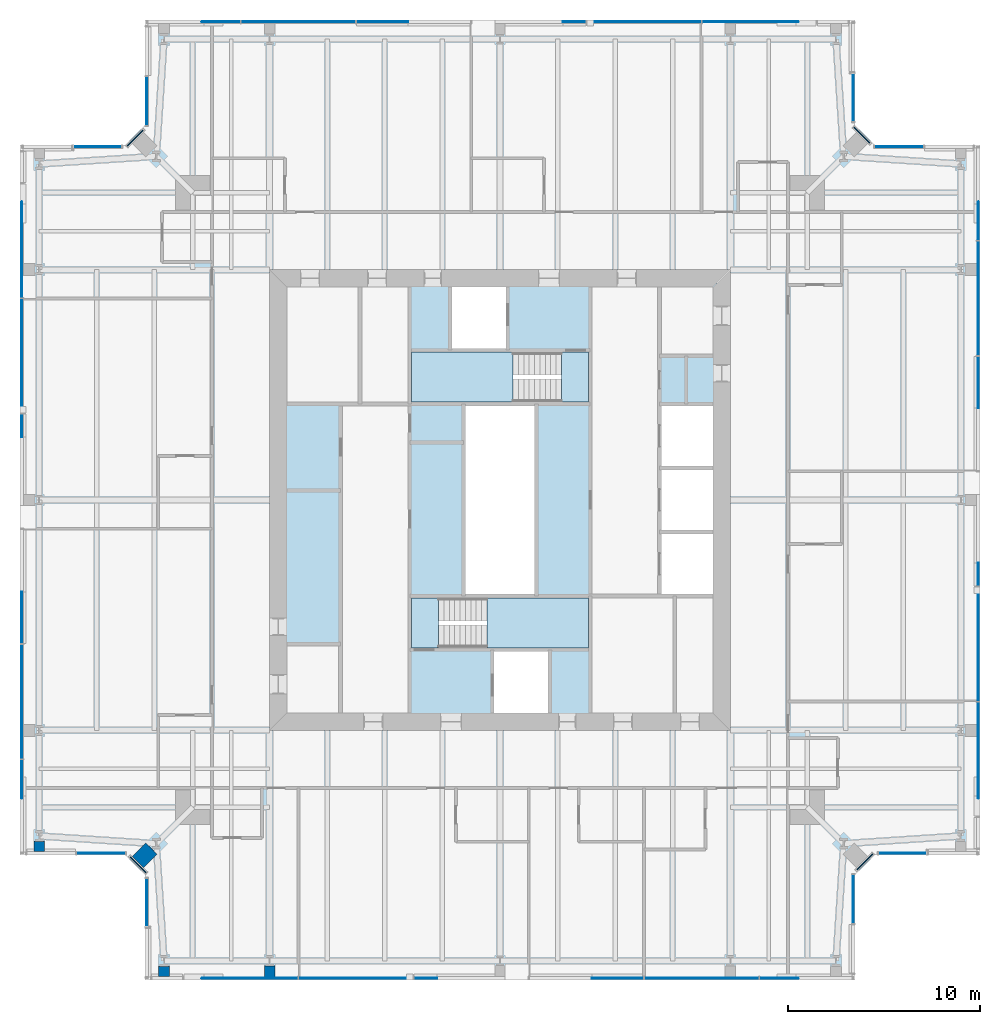
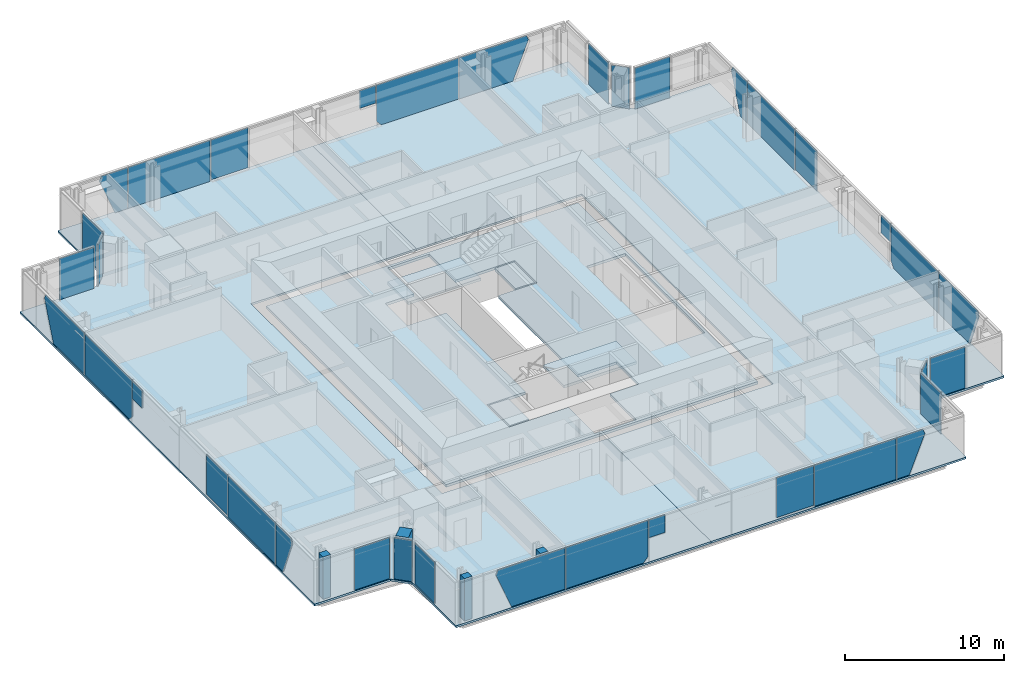
# One storey, part 10 of 20: 36 plates, 7 slabs, 4 walls, 18 elements without a shape of their own.
"""IFC4 building model written with IfcOpenShell, lengths in metres."""

from ifc_helpers import new_model, si_unit, direction, frame, frame_2d, origin, origin_2d, place, context, subcontext, project, spatial, polyline, rectangle, outline, extrude, material, layer, layer_set, type_object, element, aggregate, save


model = new_model("IFC4")

# Units and contexts
model_context = context("Model", 3, precision=1e-05, world=origin(), true_north=direction((0.0, 1.0)))
body_context = subcontext(model_context, "Body", "Model", "MODEL_VIEW")
ifc_project = project(units=[si_unit("LENGTHUNIT", "METRE"), si_unit("AREAUNIT", "SQUARE_METRE"), si_unit("VOLUMEUNIT", "CUBIC_METRE"), si_unit("PLANEANGLEUNIT", "RADIAN"), si_unit("MASSUNIT", "GRAM", prefix="KILO")], contexts=[model_context])

# Site, building, storey
site_placement = place(None, origin())
site = spatial("IfcSite", under=ifc_project, at=site_placement, CompositionType="ELEMENT")
building_placement = place(site_placement, origin())
building = spatial("IfcBuilding", under=site, at=building_placement, Name="Fenwick Lantern Interchange", CompositionType="ELEMENT")
storey_placement = place(building_placement, frame((0.0, 0.0, 279.800048828125)))
storey = spatial("IfcBuildingStorey", under=building, at=storey_placement, Name="L67", CompositionType="ELEMENT", Elevation=279.800048828125)

# Slabs
ifc_material_1 = material(Name="Concrete f'c 35 MPa", Category="concrete")
ifc_layer_1 = layer(ifc_material_1, 0.199951171875)
ifc_layer_set_1 = layer_set([ifc_layer_1], Name="CORE FLOOR SLAB 200")
slab_type_1 = type_object("IfcSlabType", Name="CORE FLOOR SLAB 200", PredefinedType="FLOOR", material=ifc_layer_set_1)
slab_1_placement = place(storey_placement, frame((0.0, 0.0, -0.199951171875)))
element("IfcSlab", 1, at=slab_1_placement, inside=storey, type_object=slab_type_1, Name="L67/SLAB/CORE", PredefinedType="FLOOR", context=body_context, shape_type="SweptSolid", body=[
    extrude(outline(polyline([(13.699951171875, 36.300048828125), (36.300048828125, 36.300048828125), (36.300048828125, 13.699951171875), (13.699951171875, 13.699951171875), (13.699951171875, 36.300048828125)]), holes=[polyline([(24.60009765625, 13.89990234375), (27.60009765625, 13.89990234375), (27.60009765625, 17.199951171875), (29.699951171875, 17.199951171875), (29.699951171875, 20.0), (26.89990234375, 20.0), (26.89990234375, 30.0), (29.699951171875, 30.0), (29.699951171875, 32.800048828125), (25.39990234375, 32.800048828125), (25.39990234375, 36.10009765625), (22.39990234375, 36.10009765625), (22.39990234375, 32.800048828125), (20.300048828125, 32.800048828125), (20.300048828125, 30.0), (23.10009765625, 30.0), (23.10009765625, 20.0), (20.300048828125, 20.0), (20.300048828125, 17.199951171875), (24.60009765625, 17.199951171875), (24.60009765625, 13.89990234375)]), polyline([(33.300048828125, 20.0), (36.10009765625, 20.0), (36.10009765625, 23.333251953125), (36.10009765625, 26.666748046875), (36.10009765625, 30.0), (33.300048828125, 30.0), (33.300048828125, 26.666748046875), (33.300048828125, 23.333251953125), (33.300048828125, 20.0)])]), origin(), (0.0, 0.0, 1.0), 0.199951171875),
])
ifc_material_2 = material(Name="Concrete f'c 35 MPa", Category="concrete")
ifc_layer_2 = layer(ifc_material_2, 0.14990234375)
ifc_layer_set_2 = layer_set([ifc_layer_2], Name="Concrete f'c 35 MPa")
slab_type_2 = type_object("IfcSlabType", Name="FLOOR SLAB 150", PredefinedType="FLOOR", material=ifc_layer_set_2)
slab_2_placement = place(storey_placement, frame((0.0, 0.0, -0.150146484375)))
element("IfcSlab", 2, at=slab_2_placement, inside=storey, type_object=slab_type_2, Name="L67/SLAB/FW", PredefinedType="FLOOR", context=body_context, shape_type="SweptSolid", body=[
    extrude(outline(polyline([(6.5, 0.0), (6.5, 5.5), (5.5, 6.5), (0.0, 6.5), (0.0, 43.5), (5.5, 43.5), (6.5, 44.5), (6.5, 50.0), (25.0, 50.0), (25.0, 37.0), (13.0, 37.0), (13.0, 13.0), (25.0, 13.0), (25.0, 0.0), (6.5, 0.0)])), origin(), (0.0, 0.0, 1.0), 0.150146484375),
])
slab_3_placement = place(storey_placement, frame((0.0, 0.0, -0.150146484375)))
element("IfcSlab", 3, at=slab_3_placement, inside=storey, type_object=slab_type_2, Name="L67/SLAB/FE", PredefinedType="FLOOR", context=body_context, shape_type="SweptSolid", body=[
    extrude(outline(polyline([(43.5, 50.0), (43.5, 44.5), (44.5, 43.5), (50.0, 43.5), (50.0, 6.5), (44.5, 6.5), (43.5, 5.5), (43.5, 0.0), (25.0, 0.0), (25.0, 13.0), (37.0, 13.0), (37.0, 37.0), (25.0, 37.0), (25.0, 50.0), (43.5, 50.0)])), origin(), (0.0, 0.0, 1.0), 0.150146484375),
])

# Curtain wall, plates
ifc_material_3 = material(Name="Aluminium curtain wall frame", Category="aluminium")
curtain_wall_type = type_object("IfcCurtainWallType", Name="HOTEL CURTAIN WALL", PredefinedType="USERDEFINED", material=ifc_material_3)
curtain_wall_1_placement = place(storey_placement, origin())
curtain_wall_1 = element("IfcCurtainWall", 4, at=curtain_wall_1_placement, inside=storey, type_object=curtain_wall_type, Name="Hotel curtain wall 01", ObjectType="HOTEL CURTAIN WALL", PredefinedType="USERDEFINED")
ifc_material_4 = material(Name="Vision glass, acoustic laminated double glazed unit", Category="glass")
ifc_layer_3 = layer(ifc_material_4, 0.052001953125)
ifc_layer_set_3 = layer_set([ifc_layer_3], Name="HOTEL CURTAIN WALL PANEL 52")
plate_type = type_object("IfcPlateType", Name="HOTEL CURTAIN WALL PANEL 52", PredefinedType="CURTAIN_PANEL", material=ifc_layer_set_3)
plate_1_placement = place(storey_placement, frame((6.60009765625, 0.10009765625, 0.0), z_axis=(0.0, 0.0, 1.0), x_axis=(1.0, 0.0, 0.0)))
plate_1 = element("IfcPlate", 5, at=plate_1_placement, type_object=plate_type, Name="L67/CW/01/P01a", PredefinedType="CURTAIN_PANEL", context=body_context, shape_type="SweptSolid", body=[
    extrude(outline(polyline([(3.971435546875, 0.0), (7.8701171875, 0.0), (7.8701171875, 3.14990234375), (2.9892578125, 3.14990234375), (2.8427734375, 2.791015625), (3.971435546875, 0.0)])), frame((0.0, 0.02587890625, 0.0), z_axis=(0.0, -1.0, 0.0), x_axis=(1.0, 0.0, 0.0)), (0.0, 0.0, 1.0), 0.052001953125),
])
plate_2_placement = place(storey_placement, frame((6.60009765625, 0.10009765625, 0.0), z_axis=(0.0, 0.0, 1.0), x_axis=(1.0, 0.0, 0.0)))
plate_2 = element("IfcPlate", 6, at=plate_2_placement, type_object=plate_type, Name="L67/CW/01/P02a", PredefinedType="CURTAIN_PANEL", context=body_context, shape_type="SweptSolid", body=[
    extrude(outline(polyline([(7.929931640625, 0.0), (13.5341796875, 0.0), (13.8701171875, 0.380615234375), (13.8701171875, 3.14990234375), (7.929931640625, 3.14990234375), (7.929931640625, 0.0)])), frame((0.0, 0.02587890625, 0.0), z_axis=(0.0, -1.0, 0.0), x_axis=(1.0, 0.0, 0.0)), (0.0, 0.0, 1.0), 0.052001953125),
])
plate_3_placement = place(storey_placement, frame((6.60009765625, 0.10009765625, 1.797119140625), z_axis=(0.0, 0.0, 1.0), x_axis=(1.0, 0.0, 0.0)))
plate_3 = element("IfcPlate", 7, at=plate_3_placement, type_object=plate_type, Name="L67/CW/01/P03a", PredefinedType="CURTAIN_PANEL", context=body_context, shape_type="SweptSolid", body=[
    extrude(outline(polyline([(13.929931640625, 0.0), (15.1201171875, 0.0), (15.1201171875, 1.352783203125), (13.929931640625, 1.352783203125), (13.929931640625, 0.0)])), frame((0.0, 0.02587890625, 0.0), z_axis=(0.0, -1.0, 0.0), x_axis=(1.0, 0.0, 0.0)), (0.0, 0.0, 1.0), 0.052001953125),
])
plate_4_placement = place(storey_placement, frame((6.60009765625, 0.10009765625, 0.09765625), z_axis=(0.0, 0.0, 1.0), x_axis=(1.0, 0.0, 0.0)))
plate_4 = element("IfcPlate", 8, at=plate_4_placement, type_object=plate_type, Name="L67/CW/01/P04a", PredefinedType="CURTAIN_PANEL", context=body_context, shape_type="SweptSolid", body=[
    extrude(outline(polyline([(23.179443359375, 0.0), (25.8701171875, 0.0), (25.8701171875, 3.05224609375), (23.179443359375, 3.05224609375), (23.179443359375, 0.0)])), frame((0.0, 0.02587890625, 0.0), z_axis=(0.0, -1.0, 0.0), x_axis=(1.0, 0.0, 0.0)), (0.0, 0.0, 1.0), 0.052001953125),
])
plate_5_placement = place(storey_placement, frame((35.5, 0.10009765625, 0.0), z_axis=(0.0, 0.0, 1.0), x_axis=(1.0, 0.0, 0.0)))
plate_5 = element("IfcPlate", 9, at=plate_5_placement, type_object=plate_type, Name="L67/CW/01/P05", PredefinedType="CURTAIN_PANEL", context=body_context, shape_type="SweptSolid", body=[
    extrude(rectangle(XDim=5.93994140625, YDim=0.052001953125, at=origin_2d()), origin(), (0.0, 0.0, 1.0), 3.14990234375),
])
plate_6_placement = place(storey_placement, frame((6.60009765625, 0.10009765625, 0.0), z_axis=(0.0, 0.0, 1.0), x_axis=(1.0, 0.0, 0.0)))
plate_6 = element("IfcPlate", 10, at=plate_6_placement, type_object=plate_type, Name="L67/CW/01/P06a", PredefinedType="CURTAIN_PANEL", context=body_context, shape_type="SweptSolid", body=[
    extrude(outline(polyline([(31.929931640625, 0.0), (32.828369140625, 0.0), (33.957275390625, 2.791015625), (33.810791015625, 3.14990234375), (31.929931640625, 3.14990234375), (31.929931640625, 0.0)])), frame((0.0, 0.02587890625, 0.0), z_axis=(0.0, -1.0, 0.0), x_axis=(1.0, 0.0, 0.0)), (0.0, 0.0, 1.0), 0.052001953125),
])
aggregate(curtain_wall_1, [plate_1, plate_2, plate_3, plate_4, plate_5, plate_6])

# Curtain wall, plate
curtain_wall_2_placement = place(storey_placement, origin())
curtain_wall_2 = element("IfcCurtainWall", 11, at=curtain_wall_2_placement, inside=storey, type_object=curtain_wall_type, Name="Hotel curtain wall 02", ObjectType="HOTEL CURTAIN WALL", PredefinedType="USERDEFINED")
plate_7_placement = place(storey_placement, frame((43.39990234375, 4.216064453125, 0.0), z_axis=(0.0, 0.0, 1.0), x_axis=(0.0, 1.0, 0.0)))
plate_7 = element("IfcPlate", 12, at=plate_7_placement, type_object=plate_type, Name="L67/CW/02/P01", PredefinedType="CURTAIN_PANEL", context=body_context, shape_type="SweptSolid", body=[
    extrude(rectangle(XDim=2.53076171875, YDim=0.052001953125, at=origin_2d()), origin(), (0.0, 0.0, 1.0), 3.14990234375),
])
aggregate(curtain_wall_2, [plate_7])

curtain_wall_3_placement = place(storey_placement, origin())
curtain_wall_3 = element("IfcCurtainWall", 13, at=curtain_wall_3_placement, inside=storey, type_object=curtain_wall_type, Name="Hotel curtain wall 03", ObjectType="HOTEL CURTAIN WALL", PredefinedType="USERDEFINED")
plate_8_placement = place(storey_placement, frame((44.0, 6.141357421875, 0.0), z_axis=(0.0, 0.0, 1.0), x_axis=(0.707106781187, 0.707106781187, 0.0)))
plate_8 = element("IfcPlate", 14, at=plate_8_placement, type_object=plate_type, Name="L67/CW/03/P00", PredefinedType="CURTAIN_PANEL", context=body_context, shape_type="SweptSolid", body=[
    extrude(rectangle(XDim=1.177001953125, YDim=0.052001953125, at=origin_2d()), origin(), (0.0, 0.0, 1.0), 3.14990234375),
])
aggregate(curtain_wall_3, [plate_8])

curtain_wall_4_placement = place(storey_placement, origin())
curtain_wall_4 = element("IfcCurtainWall", 15, at=curtain_wall_4_placement, inside=storey, type_object=curtain_wall_type, Name="Hotel curtain wall 04", ObjectType="HOTEL CURTAIN WALL", PredefinedType="USERDEFINED")
plate_9_placement = place(storey_placement, frame((44.45849609375, 6.60009765625, 0.0), z_axis=(0.0, 0.0, 1.0), x_axis=(1.0, 0.0, 0.0)))
plate_9 = element("IfcPlate", 16, at=plate_9_placement, type_object=plate_type, Name="L67/CW/04/P00a", PredefinedType="CURTAIN_PANEL", context=body_context, shape_type="SweptSolid", body=[
    extrude(outline(polyline([(0.260009765625, 0.0), (2.741455078125, 0.0), (2.741455078125, 3.14990234375), (0.260009765625, 3.14990234375), (0.260009765625, 0.0)])), frame((0.0, 0.02587890625, 0.0), z_axis=(0.0, -1.0, 0.0), x_axis=(1.0, 0.0, 0.0)), (0.0, 0.0, 1.0), 0.052001953125),
])
aggregate(curtain_wall_4, [plate_9])

# Curtain wall, plates
curtain_wall_5_placement = place(storey_placement, origin())
curtain_wall_5 = element("IfcCurtainWall", 17, at=curtain_wall_5_placement, inside=storey, type_object=curtain_wall_type, Name="Hotel curtain wall 05", ObjectType="HOTEL CURTAIN WALL", PredefinedType="USERDEFINED")
plate_10_placement = place(storey_placement, frame((49.89990234375, 6.60009765625, 0.0), z_axis=(0.0, 0.0, 1.0), x_axis=(0.0, 1.0, 0.0)))
plate_10 = element("IfcPlate", 18, at=plate_10_placement, type_object=plate_type, Name="L67/CW/05/P01a", PredefinedType="CURTAIN_PANEL", context=body_context, shape_type="SweptSolid", body=[
    extrude(outline(polyline([(3.971435546875, 0.0), (7.8701171875, 0.0), (7.8701171875, 3.14990234375), (2.9892578125, 3.14990234375), (2.8427734375, 2.791015625), (3.971435546875, 0.0)])), frame((0.0, 0.02587890625, 0.0), z_axis=(0.0, -1.0, 0.0), x_axis=(1.0, 0.0, 0.0)), (0.0, 0.0, 1.0), 0.052001953125),
])
plate_11_placement = place(storey_placement, frame((49.89990234375, 6.60009765625, 0.0), z_axis=(0.0, 0.0, 1.0), x_axis=(0.0, 1.0, 0.0)))
plate_11 = element("IfcPlate", 19, at=plate_11_placement, type_object=plate_type, Name="L67/CW/05/P02a", PredefinedType="CURTAIN_PANEL", context=body_context, shape_type="SweptSolid", body=[
    extrude(outline(polyline([(7.929931640625, 0.0), (13.5341796875, 0.0), (13.8701171875, 0.380615234375), (13.8701171875, 3.14990234375), (7.929931640625, 3.14990234375), (7.929931640625, 0.0)])), frame((0.0, 0.02587890625, 0.0), z_axis=(0.0, -1.0, 0.0), x_axis=(1.0, 0.0, 0.0)), (0.0, 0.0, 1.0), 0.052001953125),
])
plate_12_placement = place(storey_placement, frame((49.89990234375, 6.60009765625, 1.797119140625), z_axis=(0.0, 0.0, 1.0), x_axis=(0.0, 1.0, 0.0)))
plate_12 = element("IfcPlate", 20, at=plate_12_placement, type_object=plate_type, Name="L67/CW/05/P03a", PredefinedType="CURTAIN_PANEL", context=body_context, shape_type="SweptSolid", body=[
    extrude(outline(polyline([(13.929931640625, 0.0), (15.1201171875, 0.0), (15.1201171875, 1.352783203125), (13.929931640625, 1.352783203125), (13.929931640625, 0.0)])), frame((0.0, 0.02587890625, 0.0), z_axis=(0.0, -1.0, 0.0), x_axis=(1.0, 0.0, 0.0)), (0.0, 0.0, 1.0), 0.052001953125),
])
plate_13_placement = place(storey_placement, frame((49.89990234375, 6.60009765625, 0.09765625), z_axis=(0.0, 0.0, 1.0), x_axis=(0.0, 1.0, 0.0)))
plate_13 = element("IfcPlate", 21, at=plate_13_placement, type_object=plate_type, Name="L67/CW/05/P04a", PredefinedType="CURTAIN_PANEL", context=body_context, shape_type="SweptSolid", body=[
    extrude(outline(polyline([(23.179443359375, 0.0), (25.8701171875, 0.0), (25.8701171875, 3.05224609375), (23.179443359375, 3.05224609375), (23.179443359375, 0.0)])), frame((0.0, 0.02587890625, 0.0), z_axis=(0.0, -1.0, 0.0), x_axis=(1.0, 0.0, 0.0)), (0.0, 0.0, 1.0), 0.052001953125),
])
plate_14_placement = place(storey_placement, frame((49.89990234375, 35.5, 0.0), z_axis=(0.0, 0.0, 1.0), x_axis=(0.0, 1.0, 0.0)))
plate_14 = element("IfcPlate", 22, at=plate_14_placement, type_object=plate_type, Name="L67/CW/05/P05", PredefinedType="CURTAIN_PANEL", context=body_context, shape_type="SweptSolid", body=[
    extrude(rectangle(XDim=5.93994140625, YDim=0.052001953125, at=origin_2d()), origin(), (0.0, 0.0, 1.0), 3.14990234375),
])
plate_15_placement = place(storey_placement, frame((49.89990234375, 6.60009765625, 0.0), z_axis=(0.0, 0.0, 1.0), x_axis=(0.0, 1.0, 0.0)))
plate_15 = element("IfcPlate", 23, at=plate_15_placement, type_object=plate_type, Name="L67/CW/05/P06a", PredefinedType="CURTAIN_PANEL", context=body_context, shape_type="SweptSolid", body=[
    extrude(outline(polyline([(31.929931640625, 0.0), (32.828369140625, 0.0), (33.957275390625, 2.791015625), (33.810791015625, 3.14990234375), (31.929931640625, 3.14990234375), (31.929931640625, 0.0)])), frame((0.0, 0.02587890625, 0.0), z_axis=(0.0, -1.0, 0.0), x_axis=(1.0, 0.0, 0.0)), (0.0, 0.0, 1.0), 0.052001953125),
])
aggregate(curtain_wall_5, [plate_10, plate_11, plate_12, plate_13, plate_14, plate_15])

# Curtain wall, plate
curtain_wall_6_placement = place(storey_placement, origin())
curtain_wall_6 = element("IfcCurtainWall", 24, at=curtain_wall_6_placement, inside=storey, type_object=curtain_wall_type, Name="Hotel curtain wall 06", ObjectType="HOTEL CURTAIN WALL", PredefinedType="USERDEFINED")
plate_16_placement = place(storey_placement, frame((45.783935546875, 43.39990234375, 0.0), z_axis=(0.0, 0.0, 1.0), x_axis=(-1.0, 0.0, 0.0)))
plate_16 = element("IfcPlate", 25, at=plate_16_placement, type_object=plate_type, Name="L67/CW/06/P01", PredefinedType="CURTAIN_PANEL", context=body_context, shape_type="SweptSolid", body=[
    extrude(rectangle(XDim=2.53076171875, YDim=0.052001953125, at=origin_2d()), origin(), (0.0, 0.0, 1.0), 3.14990234375),
])
aggregate(curtain_wall_6, [plate_16])

curtain_wall_7_placement = place(storey_placement, origin())
curtain_wall_7 = element("IfcCurtainWall", 26, at=curtain_wall_7_placement, inside=storey, type_object=curtain_wall_type, Name="Hotel curtain wall 07", ObjectType="HOTEL CURTAIN WALL", PredefinedType="USERDEFINED")
plate_17_placement = place(storey_placement, frame((43.858642578125, 44.0, 0.0), z_axis=(0.0, 0.0, 1.0), x_axis=(-0.707106781187, 0.707106781187, 0.0)))
plate_17 = element("IfcPlate", 27, at=plate_17_placement, type_object=plate_type, Name="L67/CW/07/P00", PredefinedType="CURTAIN_PANEL", context=body_context, shape_type="SweptSolid", body=[
    extrude(rectangle(XDim=1.177001953125, YDim=0.052001953125, at=origin_2d()), origin(), (0.0, 0.0, 1.0), 3.14990234375),
])
aggregate(curtain_wall_7, [plate_17])

curtain_wall_8_placement = place(storey_placement, origin())
curtain_wall_8 = element("IfcCurtainWall", 28, at=curtain_wall_8_placement, inside=storey, type_object=curtain_wall_type, Name="Hotel curtain wall 08", ObjectType="HOTEL CURTAIN WALL", PredefinedType="USERDEFINED")
plate_18_placement = place(storey_placement, frame((43.39990234375, 44.45849609375, 0.0), z_axis=(0.0, 0.0, 1.0), x_axis=(0.0, 1.0, 0.0)))
plate_18 = element("IfcPlate", 29, at=plate_18_placement, type_object=plate_type, Name="L67/CW/08/P00a", PredefinedType="CURTAIN_PANEL", context=body_context, shape_type="SweptSolid", body=[
    extrude(outline(polyline([(0.260009765625, 0.0), (2.741455078125, 0.0), (2.741455078125, 3.14990234375), (0.260009765625, 3.14990234375), (0.260009765625, 0.0)])), frame((0.0, 0.02587890625, 0.0), z_axis=(0.0, -1.0, 0.0), x_axis=(1.0, 0.0, 0.0)), (0.0, 0.0, 1.0), 0.052001953125),
])
aggregate(curtain_wall_8, [plate_18])

# Curtain wall, plates
curtain_wall_9_placement = place(storey_placement, origin())
curtain_wall_9 = element("IfcCurtainWall", 30, at=curtain_wall_9_placement, inside=storey, type_object=curtain_wall_type, Name="Hotel curtain wall 09", ObjectType="HOTEL CURTAIN WALL", PredefinedType="USERDEFINED")
plate_19_placement = place(storey_placement, frame((43.39990234375, 49.89990234375, 0.0), z_axis=(0.0, 0.0, 1.0), x_axis=(-1.0, 0.0, 0.0)))
plate_19 = element("IfcPlate", 31, at=plate_19_placement, type_object=plate_type, Name="L67/CW/09/P01a", PredefinedType="CURTAIN_PANEL", context=body_context, shape_type="SweptSolid", body=[
    extrude(outline(polyline([(3.971435546875, 0.0), (7.8701171875, 0.0), (7.8701171875, 3.14990234375), (2.9892578125, 3.14990234375), (2.8427734375, 2.791015625), (3.971435546875, 0.0)])), frame((0.0, 0.02587890625, 0.0), z_axis=(0.0, -1.0, 0.0), x_axis=(1.0, 0.0, 0.0)), (0.0, 0.0, 1.0), 0.052001953125),
])
plate_20_placement = place(storey_placement, frame((43.39990234375, 49.89990234375, 0.0), z_axis=(0.0, 0.0, 1.0), x_axis=(-1.0, 0.0, 0.0)))
plate_20 = element("IfcPlate", 32, at=plate_20_placement, type_object=plate_type, Name="L67/CW/09/P02a", PredefinedType="CURTAIN_PANEL", context=body_context, shape_type="SweptSolid", body=[
    extrude(outline(polyline([(7.929931640625, 0.0), (13.5341796875, 0.0), (13.8701171875, 0.380615234375), (13.8701171875, 3.14990234375), (7.929931640625, 3.14990234375), (7.929931640625, 0.0)])), frame((0.0, 0.02587890625, 0.0), z_axis=(0.0, -1.0, 0.0), x_axis=(1.0, 0.0, 0.0)), (0.0, 0.0, 1.0), 0.052001953125),
])
plate_21_placement = place(storey_placement, frame((43.39990234375, 49.89990234375, 1.797119140625), z_axis=(0.0, 0.0, 1.0), x_axis=(-1.0, 0.0, 0.0)))
plate_21 = element("IfcPlate", 33, at=plate_21_placement, type_object=plate_type, Name="L67/CW/09/P03a", PredefinedType="CURTAIN_PANEL", context=body_context, shape_type="SweptSolid", body=[
    extrude(outline(polyline([(13.929931640625, 0.0), (15.1201171875, 0.0), (15.1201171875, 1.352783203125), (13.929931640625, 1.352783203125), (13.929931640625, 0.0)])), frame((0.0, 0.02587890625, 0.0), z_axis=(0.0, -1.0, 0.0), x_axis=(1.0, 0.0, 0.0)), (0.0, 0.0, 1.0), 0.052001953125),
])
plate_22_placement = place(storey_placement, frame((43.39990234375, 49.89990234375, 0.09765625), z_axis=(0.0, 0.0, 1.0), x_axis=(-1.0, 0.0, 0.0)))
plate_22 = element("IfcPlate", 34, at=plate_22_placement, type_object=plate_type, Name="L67/CW/09/P04a", PredefinedType="CURTAIN_PANEL", context=body_context, shape_type="SweptSolid", body=[
    extrude(outline(polyline([(23.179443359375, 0.0), (25.8701171875, 0.0), (25.8701171875, 3.05224609375), (23.179443359375, 3.05224609375), (23.179443359375, 0.0)])), frame((0.0, 0.02587890625, 0.0), z_axis=(0.0, -1.0, 0.0), x_axis=(1.0, 0.0, 0.0)), (0.0, 0.0, 1.0), 0.052001953125),
])
plate_23_placement = place(storey_placement, frame((14.5, 49.89990234375, 0.0), z_axis=(0.0, 0.0, 1.0), x_axis=(-1.0, 0.0, 0.0)))
plate_23 = element("IfcPlate", 35, at=plate_23_placement, type_object=plate_type, Name="L67/CW/09/P05", PredefinedType="CURTAIN_PANEL", context=body_context, shape_type="SweptSolid", body=[
    extrude(rectangle(XDim=5.93994140625, YDim=0.052001953125, at=origin_2d()), origin(), (0.0, 0.0, 1.0), 3.14990234375),
])
plate_24_placement = place(storey_placement, frame((43.39990234375, 49.89990234375, 0.0), z_axis=(0.0, 0.0, 1.0), x_axis=(-1.0, 0.0, 0.0)))
plate_24 = element("IfcPlate", 36, at=plate_24_placement, type_object=plate_type, Name="L67/CW/09/P06a", PredefinedType="CURTAIN_PANEL", context=body_context, shape_type="SweptSolid", body=[
    extrude(outline(polyline([(31.929931640625, 0.0), (32.828369140625, 0.0), (33.957275390625, 2.791015625), (33.810791015625, 3.14990234375), (31.929931640625, 3.14990234375), (31.929931640625, 0.0)])), frame((0.0, 0.02587890625, 0.0), z_axis=(0.0, -1.0, 0.0), x_axis=(1.0, 0.0, 0.0)), (0.0, 0.0, 1.0), 0.052001953125),
])
aggregate(curtain_wall_9, [plate_19, plate_20, plate_21, plate_22, plate_23, plate_24])

# Curtain wall, plate
curtain_wall_10_placement = place(storey_placement, origin())
curtain_wall_10 = element("IfcCurtainWall", 37, at=curtain_wall_10_placement, inside=storey, type_object=curtain_wall_type, Name="Hotel curtain wall 10", ObjectType="HOTEL CURTAIN WALL", PredefinedType="USERDEFINED")
plate_25_placement = place(storey_placement, frame((6.60009765625, 45.783935546875, 0.0), z_axis=(0.0, 0.0, 1.0), x_axis=(0.0, -1.0, 0.0)))
plate_25 = element("IfcPlate", 38, at=plate_25_placement, type_object=plate_type, Name="L67/CW/10/P01", PredefinedType="CURTAIN_PANEL", context=body_context, shape_type="SweptSolid", body=[
    extrude(rectangle(XDim=2.53076171875, YDim=0.052001953125, at=origin_2d()), origin(), (0.0, 0.0, 1.0), 3.14990234375),
])
aggregate(curtain_wall_10, [plate_25])

curtain_wall_11_placement = place(storey_placement, origin())
curtain_wall_11 = element("IfcCurtainWall", 39, at=curtain_wall_11_placement, inside=storey, type_object=curtain_wall_type, Name="Hotel curtain wall 11", ObjectType="HOTEL CURTAIN WALL", PredefinedType="USERDEFINED")
plate_26_placement = place(storey_placement, frame((6.0, 43.858642578125, 0.0), z_axis=(0.0, 0.0, 1.0), x_axis=(-0.707106781187, -0.707106781187, 0.0)))
plate_26 = element("IfcPlate", 40, at=plate_26_placement, type_object=plate_type, Name="L67/CW/11/P00", PredefinedType="CURTAIN_PANEL", context=body_context, shape_type="SweptSolid", body=[
    extrude(rectangle(XDim=1.177001953125, YDim=0.052001953125, at=origin_2d()), origin(), (0.0, 0.0, 1.0), 3.14990234375),
])
aggregate(curtain_wall_11, [plate_26])

curtain_wall_12_placement = place(storey_placement, origin())
curtain_wall_12 = element("IfcCurtainWall", 41, at=curtain_wall_12_placement, inside=storey, type_object=curtain_wall_type, Name="Hotel curtain wall 12", ObjectType="HOTEL CURTAIN WALL", PredefinedType="USERDEFINED")
plate_27_placement = place(storey_placement, frame((5.54150390625, 43.39990234375, 0.0), z_axis=(0.0, 0.0, 1.0), x_axis=(-1.0, 0.0, 0.0)))
plate_27 = element("IfcPlate", 42, at=plate_27_placement, type_object=plate_type, Name="L67/CW/12/P00a", PredefinedType="CURTAIN_PANEL", context=body_context, shape_type="SweptSolid", body=[
    extrude(outline(polyline([(0.260009765625, 0.0), (2.741455078125, 0.0), (2.741455078125, 3.14990234375), (0.260009765625, 3.14990234375), (0.260009765625, 0.0)])), frame((0.0, 0.02587890625, 0.0), z_axis=(0.0, -1.0, 0.0), x_axis=(1.0, 0.0, 0.0)), (0.0, 0.0, 1.0), 0.052001953125),
])
aggregate(curtain_wall_12, [plate_27])

# Curtain wall, plates
curtain_wall_13_placement = place(storey_placement, origin())
curtain_wall_13 = element("IfcCurtainWall", 43, at=curtain_wall_13_placement, inside=storey, type_object=curtain_wall_type, Name="Hotel curtain wall 13", ObjectType="HOTEL CURTAIN WALL", PredefinedType="USERDEFINED")
plate_28_placement = place(storey_placement, frame((0.10009765625, 43.39990234375, 0.0), z_axis=(0.0, 0.0, 1.0), x_axis=(0.0, -1.0, 0.0)))
plate_28 = element("IfcPlate", 44, at=plate_28_placement, type_object=plate_type, Name="L67/CW/13/P01a", PredefinedType="CURTAIN_PANEL", context=body_context, shape_type="SweptSolid", body=[
    extrude(outline(polyline([(3.971435546875, 0.0), (7.8701171875, 0.0), (7.8701171875, 3.14990234375), (2.9892578125, 3.14990234375), (2.8427734375, 2.791015625), (3.971435546875, 0.0)])), frame((0.0, 0.02587890625, 0.0), z_axis=(0.0, -1.0, 0.0), x_axis=(1.0, 0.0, 0.0)), (0.0, 0.0, 1.0), 0.052001953125),
])
plate_29_placement = place(storey_placement, frame((0.10009765625, 43.39990234375, 0.0), z_axis=(0.0, 0.0, 1.0), x_axis=(0.0, -1.0, 0.0)))
plate_29 = element("IfcPlate", 45, at=plate_29_placement, type_object=plate_type, Name="L67/CW/13/P02a", PredefinedType="CURTAIN_PANEL", context=body_context, shape_type="SweptSolid", body=[
    extrude(outline(polyline([(7.929931640625, 0.0), (13.5341796875, 0.0), (13.8701171875, 0.380615234375), (13.8701171875, 3.14990234375), (7.929931640625, 3.14990234375), (7.929931640625, 0.0)])), frame((0.0, 0.02587890625, 0.0), z_axis=(0.0, -1.0, 0.0), x_axis=(1.0, 0.0, 0.0)), (0.0, 0.0, 1.0), 0.052001953125),
])
plate_30_placement = place(storey_placement, frame((0.10009765625, 43.39990234375, 1.797119140625), z_axis=(0.0, 0.0, 1.0), x_axis=(0.0, -1.0, 0.0)))
plate_30 = element("IfcPlate", 46, at=plate_30_placement, type_object=plate_type, Name="L67/CW/13/P03a", PredefinedType="CURTAIN_PANEL", context=body_context, shape_type="SweptSolid", body=[
    extrude(outline(polyline([(13.929931640625, 0.0), (15.1201171875, 0.0), (15.1201171875, 1.352783203125), (13.929931640625, 1.352783203125), (13.929931640625, 0.0)])), frame((0.0, 0.02587890625, 0.0), z_axis=(0.0, -1.0, 0.0), x_axis=(1.0, 0.0, 0.0)), (0.0, 0.0, 1.0), 0.052001953125),
])
plate_31_placement = place(storey_placement, frame((0.10009765625, 43.39990234375, 0.09765625), z_axis=(0.0, 0.0, 1.0), x_axis=(0.0, -1.0, 0.0)))
plate_31 = element("IfcPlate", 47, at=plate_31_placement, type_object=plate_type, Name="L67/CW/13/P04a", PredefinedType="CURTAIN_PANEL", context=body_context, shape_type="SweptSolid", body=[
    extrude(outline(polyline([(23.179443359375, 0.0), (25.8701171875, 0.0), (25.8701171875, 3.05224609375), (23.179443359375, 3.05224609375), (23.179443359375, 0.0)])), frame((0.0, 0.02587890625, 0.0), z_axis=(0.0, -1.0, 0.0), x_axis=(1.0, 0.0, 0.0)), (0.0, 0.0, 1.0), 0.052001953125),
])
plate_32_placement = place(storey_placement, frame((0.10009765625, 14.5, 0.0), z_axis=(0.0, 0.0, 1.0), x_axis=(0.0, -1.0, 0.0)))
plate_32 = element("IfcPlate", 48, at=plate_32_placement, type_object=plate_type, Name="L67/CW/13/P05", PredefinedType="CURTAIN_PANEL", context=body_context, shape_type="SweptSolid", body=[
    extrude(rectangle(XDim=5.93994140625, YDim=0.052001953125, at=origin_2d()), origin(), (0.0, 0.0, 1.0), 3.14990234375),
])
plate_33_placement = place(storey_placement, frame((0.10009765625, 43.39990234375, 0.0), z_axis=(0.0, 0.0, 1.0), x_axis=(0.0, -1.0, 0.0)))
plate_33 = element("IfcPlate", 49, at=plate_33_placement, type_object=plate_type, Name="L67/CW/13/P06a", PredefinedType="CURTAIN_PANEL", context=body_context, shape_type="SweptSolid", body=[
    extrude(outline(polyline([(31.929931640625, 0.0), (32.828369140625, 0.0), (33.957275390625, 2.791015625), (33.810791015625, 3.14990234375), (31.929931640625, 3.14990234375), (31.929931640625, 0.0)])), frame((0.0, 0.02587890625, 0.0), z_axis=(0.0, -1.0, 0.0), x_axis=(1.0, 0.0, 0.0)), (0.0, 0.0, 1.0), 0.052001953125),
])
aggregate(curtain_wall_13, [plate_28, plate_29, plate_30, plate_31, plate_32, plate_33])

# Curtain wall, plate
curtain_wall_14_placement = place(storey_placement, origin())
curtain_wall_14 = element("IfcCurtainWall", 50, at=curtain_wall_14_placement, inside=storey, type_object=curtain_wall_type, Name="Hotel curtain wall 14", ObjectType="HOTEL CURTAIN WALL", PredefinedType="USERDEFINED")
plate_34_placement = place(storey_placement, frame((4.216064453125, 6.60009765625, 0.0), z_axis=(0.0, 0.0, 1.0), x_axis=(1.0, 0.0, 0.0)))
plate_34 = element("IfcPlate", 51, at=plate_34_placement, type_object=plate_type, Name="L67/CW/14/P01", PredefinedType="CURTAIN_PANEL", context=body_context, shape_type="SweptSolid", body=[
    extrude(rectangle(XDim=2.53076171875, YDim=0.052001953125, at=origin_2d()), origin(), (0.0, 0.0, 1.0), 3.14990234375),
])
aggregate(curtain_wall_14, [plate_34])

curtain_wall_15_placement = place(storey_placement, origin())
curtain_wall_15 = element("IfcCurtainWall", 52, at=curtain_wall_15_placement, inside=storey, type_object=curtain_wall_type, Name="Hotel curtain wall 15", ObjectType="HOTEL CURTAIN WALL", PredefinedType="USERDEFINED")
plate_35_placement = place(storey_placement, frame((6.141357421875, 6.0, 0.0), z_axis=(0.0, 0.0, 1.0), x_axis=(0.707106781187, -0.707106781187, 0.0)))
plate_35 = element("IfcPlate", 53, at=plate_35_placement, type_object=plate_type, Name="L67/CW/15/P00", PredefinedType="CURTAIN_PANEL", context=body_context, shape_type="SweptSolid", body=[
    extrude(rectangle(XDim=1.177001953125, YDim=0.052001953125, at=origin_2d()), origin(), (0.0, 0.0, 1.0), 3.14990234375),
])
aggregate(curtain_wall_15, [plate_35])

curtain_wall_16_placement = place(storey_placement, origin())
curtain_wall_16 = element("IfcCurtainWall", 54, at=curtain_wall_16_placement, inside=storey, type_object=curtain_wall_type, Name="Hotel curtain wall 16", ObjectType="HOTEL CURTAIN WALL", PredefinedType="USERDEFINED")
plate_36_placement = place(storey_placement, frame((6.60009765625, 5.54150390625, 0.0), z_axis=(0.0, 0.0, 1.0), x_axis=(0.0, -1.0, 0.0)))
plate_36 = element("IfcPlate", 55, at=plate_36_placement, type_object=plate_type, Name="L67/CW/16/P00a", PredefinedType="CURTAIN_PANEL", context=body_context, shape_type="SweptSolid", body=[
    extrude(outline(polyline([(0.260009765625, 0.0), (2.741455078125, 0.0), (2.741455078125, 3.14990234375), (0.260009765625, 3.14990234375), (0.260009765625, 0.0)])), frame((0.0, 0.02587890625, 0.0), z_axis=(0.0, -1.0, 0.0), x_axis=(1.0, 0.0, 0.0)), (0.0, 0.0, 1.0), 0.052001953125),
])
aggregate(curtain_wall_16, [plate_36])

# Stair, slabs
ifc_material_5 = material(Name="Precast concrete f'c 35 MPa", Category="concrete")
stair_type = type_object("IfcStairType", Name="EXIT STAIR 1200", PredefinedType="HALF_TURN_STAIR", material=ifc_material_5)
stair_1_placement = place(storey_placement, origin())
stair_1 = element("IfcStair", 56, at=stair_1_placement, inside=storey, type_object=stair_type, Name="Exit stair ST1", PredefinedType="HALF_TURN_STAIR")
ifc_layer_4 = layer(ifc_material_1, 0.199951171875)
ifc_layer_set_4 = layer_set([ifc_layer_4], Name="STAIR LANDING 200")
slab_type_3 = type_object("IfcSlabType", Name="STAIR LANDING 200", PredefinedType="LANDING", material=ifc_layer_set_4)
slab_4_placement = place(storey_placement, frame((0.0, 0.0, 1.5)))
slab_4 = element("IfcSlab", 57, at=slab_4_placement, type_object=slab_type_3, Name="ST1 landing 1", PredefinedType="LANDING", context=body_context, shape_type="SweptSolid", body=[
    extrude(outline(polyline([(24.320068359375, 17.300048828125), (29.60009765625, 17.300048828125), (29.60009765625, 19.89990234375), (24.320068359375, 19.89990234375), (24.320068359375, 17.300048828125)])), origin(), (0.0, 0.0, 1.0), 0.199951171875),
])
slab_5_placement = place(storey_placement, frame((0.0, 0.0, -0.199951171875)))
slab_5 = element("IfcSlab", 58, at=slab_5_placement, type_object=slab_type_3, Name="ST1 landing 2", PredefinedType="LANDING", context=body_context, shape_type="SweptSolid", body=[
    extrude(outline(polyline([(20.39990234375, 17.300048828125), (21.800048828125, 17.300048828125), (21.800048828125, 19.89990234375), (20.39990234375, 19.89990234375), (20.39990234375, 17.300048828125)])), origin(), (0.0, 0.0, 1.0), 0.199951171875),
])
aggregate(stair_1, [slab_4, slab_5])

stair_2_placement = place(storey_placement, origin())
stair_2 = element("IfcStair", 59, at=stair_2_placement, inside=storey, type_object=stair_type, Name="Exit stair ST2", PredefinedType="HALF_TURN_STAIR")
slab_6_placement = place(storey_placement, frame((0.0, 0.0, 1.5)))
slab_6 = element("IfcSlab", 60, at=slab_6_placement, type_object=slab_type_3, Name="ST2 landing 1", PredefinedType="LANDING", context=body_context, shape_type="SweptSolid", body=[
    extrude(outline(polyline([(25.679931640625, 32.699951171875), (20.39990234375, 32.699951171875), (20.39990234375, 30.10009765625), (25.679931640625, 30.10009765625), (25.679931640625, 32.699951171875)])), origin(), (0.0, 0.0, 1.0), 0.199951171875),
])
slab_7_placement = place(storey_placement, frame((0.0, 0.0, -0.199951171875)))
slab_7 = element("IfcSlab", 61, at=slab_7_placement, type_object=slab_type_3, Name="ST2 landing 2", PredefinedType="LANDING", context=body_context, shape_type="SweptSolid", body=[
    extrude(outline(polyline([(29.60009765625, 32.699951171875), (28.199951171875, 32.699951171875), (28.199951171875, 30.10009765625), (29.60009765625, 30.10009765625), (29.60009765625, 32.699951171875)])), origin(), (0.0, 0.0, 1.0), 0.199951171875),
])
aggregate(stair_2, [slab_6, slab_7])

# Walls
ifc_material_6 = material(Name="Fire-rated gypsum board encasement on steel studs, 2 hour", Category="steel")
ifc_layer_5 = layer(ifc_material_6, 0.5419921875)
ifc_layer_set_5 = layer_set([ifc_layer_5], Name="COLUMN PIER 542")
wall_type_1 = type_object("IfcWallType", Name="COLUMN PIER 542", PredefinedType="PARTITIONING", material=ifc_layer_set_5)
wall_1_placement = place(storey_placement, frame((13.0, 0.18994140625, 0.0), z_axis=(0.0, 0.0, 1.0), x_axis=(0.0, 1.0, 0.0)))
element("IfcWall", 62, at=wall_1_placement, inside=storey, type_object=wall_type_1, Name="L67/W/PIER/CS2", PredefinedType="PARTITIONING", context=body_context, shape_type="SweptSolid", body=[
    extrude(rectangle(XDim=0.544677734375, YDim=0.5419921875, at=frame_2d((0.2724609375, 0.0))), origin(), (0.0, 0.0, 1.0), 3.25),
])
ifc_layer_6 = layer(ifc_material_6, 0.554931640625)
ifc_layer_set_6 = layer_set([ifc_layer_6], Name="COLUMN PIER 555")
wall_type_2 = type_object("IfcWallType", Name="COLUMN PIER 555", PredefinedType="PARTITIONING", material=ifc_layer_set_6)
for number, where, z_axis, x_axis, name in (
    (63, (7.5, 0.18994140625, 0.0), (0.0, 0.0, 1.0), (0.0, 1.0, 0.0), "L67/W/PIER/CS1"),
    (64, (1.0, 6.68994140625, 0.0), (0.0, 0.0, 1.0), (0.0, 1.0, 0.0), "L67/W/PIER/CW5"),
):
    element("IfcWall", number, at=place(storey_placement, frame(where, z_axis=z_axis, x_axis=x_axis)), inside=storey, type_object=wall_type_2, Name=name, PredefinedType="PARTITIONING", context=body_context, shape_type="SweptSolid", body=[
        extrude(rectangle(XDim=0.525634765625, YDim=0.554931640625, at=frame_2d((0.2626953125, 0.0))), origin(), (0.0, 0.0, 1.0), 3.25),
    ])
ifc_layer_7 = layer(ifc_material_6, 0.823974609375)
ifc_layer_set_7 = layer_set([ifc_layer_7], Name="COLUMN PIER 824")
wall_type_3 = type_object("IfcWallType", Name="COLUMN PIER 824", PredefinedType="PARTITIONING", material=ifc_layer_set_7)
wall_2_placement = place(storey_placement, frame((6.13427734375, 6.13427734375, 0.0), z_axis=(0.0, 0.0, 1.0), x_axis=(0.707106781187, 0.707106781187, 0.0)))
element("IfcWall", 65, at=wall_2_placement, inside=storey, type_object=wall_type_3, Name="L67/W/PIER/CWR", PredefinedType="PARTITIONING", context=body_context, shape_type="SweptSolid", body=[
    extrude(rectangle(XDim=1.003662109375, YDim=0.823974609375, at=frame_2d((0.501953125, 0.0))), origin(), (0.0, 0.0, 1.0), 3.25),
])

save(model, "model.ifc")
